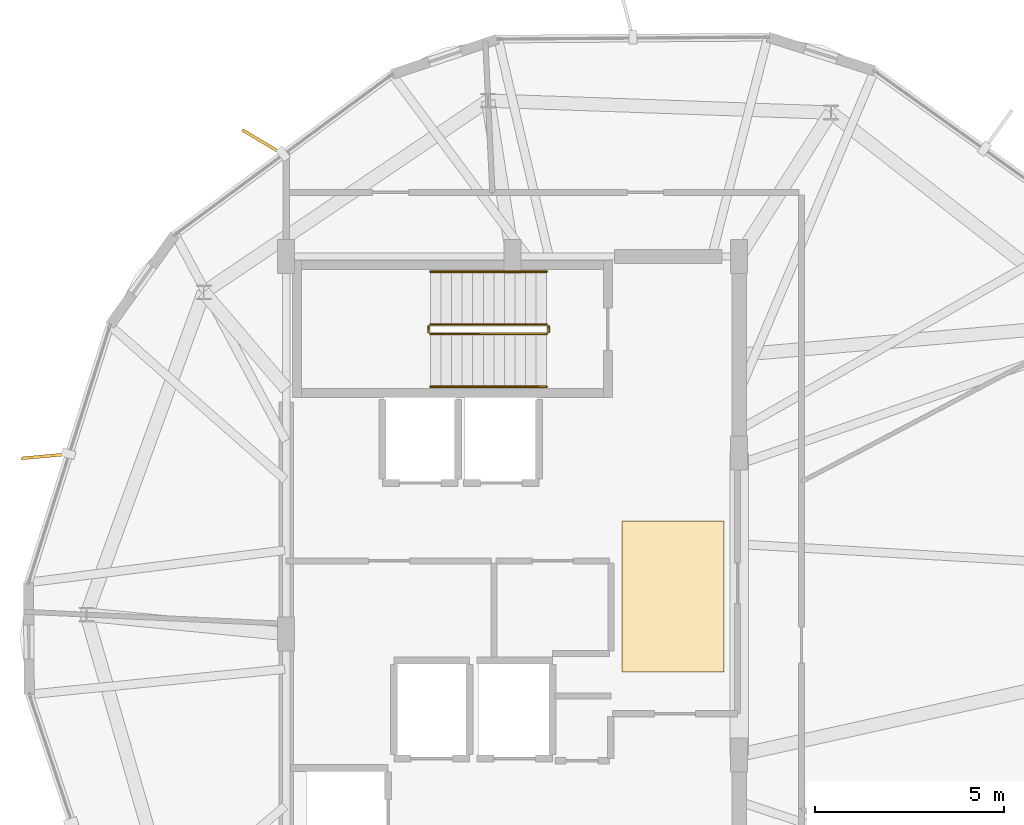
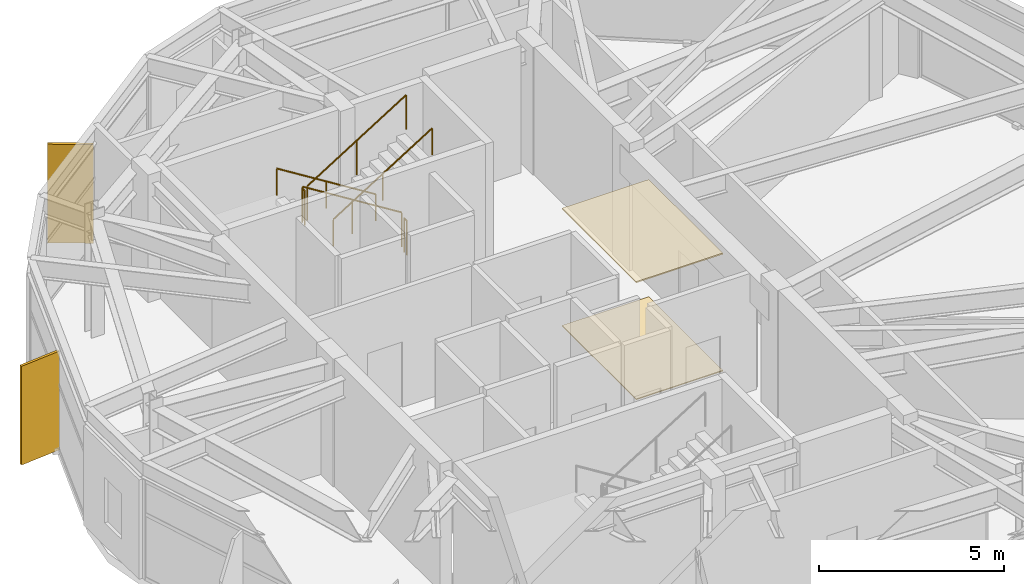
# One storey, part 21 of 22: 6 railings, 2 coverings, 2 shading devices.
"""IFC4 building model written with IfcOpenShell, lengths in metres."""

from ifc_helpers import new_model, si_unit, direction, frame, origin, origin_2d, place, context, subcontext, project, spatial, polyline, rectangle, circle, outline, extrude, material, layer, layer_set, type_object, element, save


model = new_model("IFC4")

# Units and contexts
model_context = context("Model", 3, precision=1e-05, world=origin(), true_north=direction((0.0, 1.0)))
body_context = subcontext(model_context, "Body", "Model", "MODEL_VIEW")
ifc_project = project(units=[si_unit("LENGTHUNIT", "METRE"), si_unit("AREAUNIT", "SQUARE_METRE"), si_unit("VOLUMEUNIT", "CUBIC_METRE"), si_unit("PLANEANGLEUNIT", "RADIAN"), si_unit("MASSUNIT", "GRAM", prefix="KILO")], contexts=[model_context])

# Site, building, storey
site_placement = place(None, origin())
site = spatial("IfcSite", under=ifc_project, at=site_placement, CompositionType="ELEMENT")
building_placement = place(site_placement, origin())
building = spatial("IfcBuilding", under=site, at=building_placement, Name="Soratama Intermodal Tower", CompositionType="ELEMENT")
storey_placement = place(building_placement, frame((0.0, 0.0, 301.449951171875)))
storey = spatial("IfcBuildingStorey", under=building, at=storey_placement, Name="L76", CompositionType="ELEMENT", Elevation=301.449951171875)

# Coverings
ifc_material_1 = material(Name="Perforated mineral acoustic ceiling", Category="concrete")
ifc_layer_1 = layer(ifc_material_1, 0.0400390625)
ifc_layer_set_1 = layer_set([ifc_layer_1], Name="Perforated mineral acoustic ceiling")
covering_type_1 = type_object("IfcCoveringType", Name="CV-CEIL-ACOUSTIC", PredefinedType="CEILING", material=ifc_layer_set_1)
covering_1_placement = place(storey_placement, frame((0.0, 0.0, 3.85498046875)))
element("IfcCovering", 1, at=covering_1_placement, inside=storey, type_object=covering_type_1, Name="L76 Acoustic Ceiling", PredefinedType="CEILING", context=body_context, shape_type="SweptSolid", body=[
    extrude(outline(polyline([(41.5, 24.0), (44.199951171875, 24.0), (44.199951171875, 28.0), (41.5, 28.0), (41.5, 24.0)])), origin(), (0.0, 0.0, 1.0), 0.0400390625),
])
ifc_material_2 = material(Name="Polished Andean stone terrazzo flooring", Category="masonry")
ifc_layer_2 = layer(ifc_material_2, 0.030029296875)
ifc_layer_set_2 = layer_set([ifc_layer_2], Name="Polished Andean stone terrazzo flooring")
covering_type_2 = type_object("IfcCoveringType", Name="CV-FLOR-TERRAZZO", PredefinedType="FLOORING", material=ifc_layer_set_2)
covering_2_placement = place(storey_placement, origin())
element("IfcCovering", 2, at=covering_2_placement, inside=storey, type_object=covering_type_2, Name="L76 Lobby Terrazzo Flooring", PredefinedType="FLOORING", context=body_context, shape_type="SweptSolid", body=[
    extrude(outline(polyline([(41.5, 24.0), (44.199951171875, 24.0), (44.199951171875, 28.0), (41.5, 28.0), (41.5, 24.0)])), origin(), (0.0, 0.0, 1.0), 0.030029296875),
])

# Railings
ifc_material_3 = material(Name="Painted steel stair guardrail", Category="steel")
railing_type_1 = type_object("IfcRailingType", Name="RL-STAIR-GUARD", PredefinedType="GUARDRAIL", material=ifc_material_3)
railing_1_placement = place(storey_placement, frame((39.5, 33.199951171875, 0.175048828125)))
element("IfcRailing", 3, at=railing_1_placement, inside=storey, type_object=railing_type_1, Name="L76 ST-2 stair guard 1", PredefinedType="GUARDRAIL", context=body_context, shape_type="SweptSolid", body=[
    extrude(circle(Radius=0.02392578125, at=origin_2d()), frame((0.0, 0.0, 1.1259765625), z_axis=(-0.847998304005, 0.0, 0.529998940003), x_axis=(0.0, -1.0, 0.0)), (0.0, 0.0, 1.0), 3.632080078125),
    extrude(circle(Radius=0.02099609375, at=origin_2d()), origin(), (0.0, 0.0, 1.0), 1.101806640625),
    extrude(circle(Radius=0.02099609375, at=origin_2d()), frame((-1.5400390625, 0.0, 0.96240234375)), (0.0, 0.0, 1.0), 1.101806640625),
    extrude(circle(Radius=0.02099609375, at=origin_2d()), frame((-3.080078125, 0.0, 1.925048828125)), (0.0, 0.0, 1.0), 1.101806640625),
])
railing_2_placement = place(storey_placement, frame((36.3701171875, 33.14990234375, 2.10009765625)))
element("IfcRailing", 4, at=railing_2_placement, inside=storey, type_object=railing_type_1, Name="L76 ST-2 stair guard 2", PredefinedType="GUARDRAIL", context=body_context, shape_type="SweptSolid", body=[
    extrude(circle(Radius=0.02392578125, at=origin_2d()), frame((0.0, 0.0, 1.1259765625), z_axis=(0.0, -1.0, 0.0), x_axis=(1.0, 0.0, 0.0)), (0.0, 0.0, 1.0), 0.14990234375),
    extrude(circle(Radius=0.02099609375, at=origin_2d()), origin(), (0.0, 0.0, 1.0), 1.101806640625),
    extrude(circle(Radius=0.02099609375, at=origin_2d()), frame((0.0, -0.14990234375, 0.0)), (0.0, 0.0, 1.0), 1.101806640625),
])
railing_3_placement = place(storey_placement, frame((36.419921875, 32.949951171875, 2.275146484375)))
element("IfcRailing", 5, at=railing_3_placement, inside=storey, type_object=railing_type_1, Name="L76 ST-2 stair guard 3", PredefinedType="GUARDRAIL", context=body_context, shape_type="SweptSolid", body=[
    extrude(circle(Radius=0.02392578125, at=origin_2d()), frame((0.0, 0.0, 1.1259765625), z_axis=(0.848028513186, 0.0, 0.529950602248), x_axis=(0.0, 1.0, 0.0)), (0.0, 0.0, 1.0), 3.632080078125),
    extrude(circle(Radius=0.02099609375, at=origin_2d()), origin(), (0.0, 0.0, 1.0), 1.101806640625),
    extrude(circle(Radius=0.02099609375, at=origin_2d()), frame((1.5400390625, 0.0, 0.96240234375)), (0.0, 0.0, 1.0), 1.101806640625),
    extrude(circle(Radius=0.02099609375, at=origin_2d()), frame((3.080078125, 0.0, 1.9248046875)), (0.0, 0.0, 1.0), 1.101806640625),
])
railing_4_placement = place(storey_placement, frame((39.550048828125, 33.14990234375, 0.0)))
element("IfcRailing", 6, at=railing_4_placement, inside=storey, type_object=railing_type_1, Name="L76 ST-2 stair guard 4", PredefinedType="GUARDRAIL", context=body_context, shape_type="SweptSolid", body=[
    extrude(circle(Radius=0.02392578125, at=origin_2d()), frame((0.0, 0.0, 1.1259765625), z_axis=(0.0, -1.0, 0.0), x_axis=(1.0, 0.0, 0.0)), (0.0, 0.0, 1.0), 0.14990234375),
    extrude(circle(Radius=0.02099609375, at=origin_2d()), origin(), (0.0, 0.0, 1.0), 1.101806640625),
    extrude(circle(Radius=0.02099609375, at=origin_2d()), frame((0.0, -0.14990234375, 0.0)), (0.0, 0.0, 1.0), 1.101806640625),
])
ifc_material_4 = material(Name="Brushed stainless steel handrail", Category="steel")
railing_type_2 = type_object("IfcRailingType", Name="RL-STAIR-HAND", PredefinedType="HANDRAIL", material=ifc_material_4)
railing_5_placement = place(storey_placement, frame((39.5, 34.60009765625, 0.175048828125)))
element("IfcRailing", 7, at=railing_5_placement, inside=storey, type_object=railing_type_2, Name="L76 ST-2 stair handrail 1", PredefinedType="HANDRAIL", context=body_context, shape_type="SweptSolid", body=[
    extrude(circle(Radius=0.02392578125, at=origin_2d()), frame((0.0, 0.0, 0.8759765625), z_axis=(-0.847998304005, 0.0, 0.529998940003), x_axis=(0.0, -1.0, 0.0)), (0.0, 0.0, 1.0), 3.632080078125),
    extrude(circle(Radius=0.02099609375, at=origin_2d()), origin(), (0.0, 0.0, 1.0), 0.851806640625),
    extrude(circle(Radius=0.02099609375, at=origin_2d()), frame((-1.5400390625, 0.0, 0.96240234375)), (0.0, 0.0, 1.0), 0.851806640625),
    extrude(circle(Radius=0.02099609375, at=origin_2d()), frame((-3.080078125, 0.0, 1.925048828125)), (0.0, 0.0, 1.0), 0.851806640625),
])
railing_6_placement = place(storey_placement, frame((36.419921875, 31.550048828125, 2.275146484375)))
element("IfcRailing", 8, at=railing_6_placement, inside=storey, type_object=railing_type_2, Name="L76 ST-2 stair handrail 2", PredefinedType="HANDRAIL", context=body_context, shape_type="SweptSolid", body=[
    extrude(circle(Radius=0.02392578125, at=origin_2d()), frame((0.0, 0.0, 0.8759765625), z_axis=(0.848028513186, 0.0, 0.529950602248), x_axis=(0.0, 1.0, 0.0)), (0.0, 0.0, 1.0), 3.632080078125),
    extrude(circle(Radius=0.02099609375, at=origin_2d()), origin(), (0.0, 0.0, 1.0), 0.851806640625),
    extrude(circle(Radius=0.02099609375, at=origin_2d()), frame((1.5400390625, 0.0, 0.96240234375)), (0.0, 0.0, 1.0), 0.851806640625),
    extrude(circle(Radius=0.02099609375, at=origin_2d()), frame((3.080078125, 0.0, 1.9248046875)), (0.0, 0.0, 1.0), 0.851806640625),
])

# Shading devices
ifc_material_5 = material(Name="Champagne anodised aluminium solar fin", Category="aluminium")
ifc_layer_3 = layer(ifc_material_5, 0.080078125)
ifc_layer_set_3 = layer_set([ifc_layer_3], Name="Champagne anodised aluminium solar fin")
shading_device_type = type_object("IfcShadingDeviceType", Name="SH-FIN-1250", PredefinedType="USERDEFINED", material=ifc_layer_set_3)
for number, where, z_axis, x_axis, name in (
    (9, (31.97265625, 38.03369140625, 0.02001953125), (0.0, 0.0, 1.0), (-0.859406411501, 0.511293086077, 0.0), "L76 Solar Fin F02-1"),
    (10, (26.20751953125, 29.70947265625, 0.02001953125), (0.0, 0.0, 1.0), (-0.995804927575, -0.091501618663, 0.0), "L76 Solar Fin F03-1"),
):
    element("IfcShadingDevice", number, at=place(storey_placement, frame(where, z_axis=z_axis, x_axis=x_axis)), inside=storey, type_object=shading_device_type, Name=name, ObjectType="FIN", PredefinedType="USERDEFINED", context=body_context, shape_type="SweptSolid", body=[
        extrude(rectangle(XDim=1.25, YDim=0.080078125, at=origin_2d()), origin(), (0.0, 0.0, 1.0), 3.25390625),
    ])

save(model, "model.ifc")
